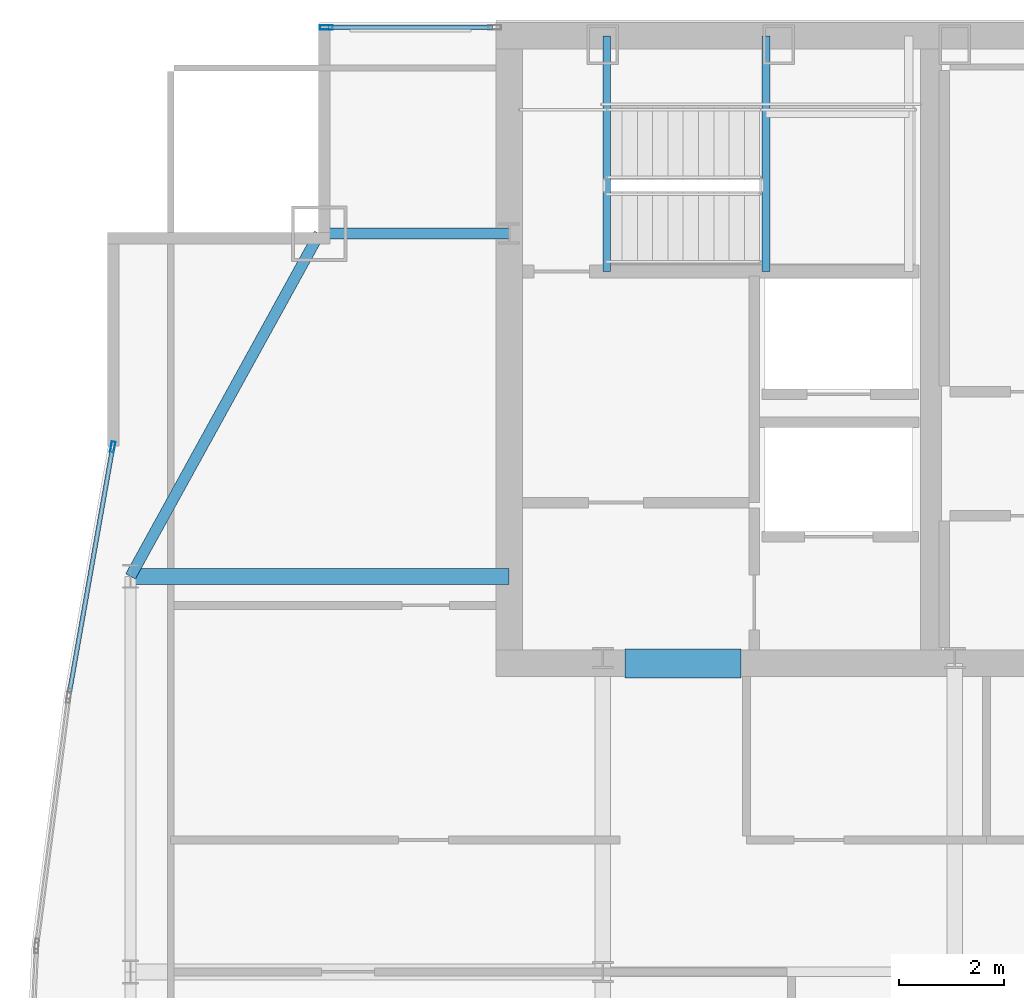
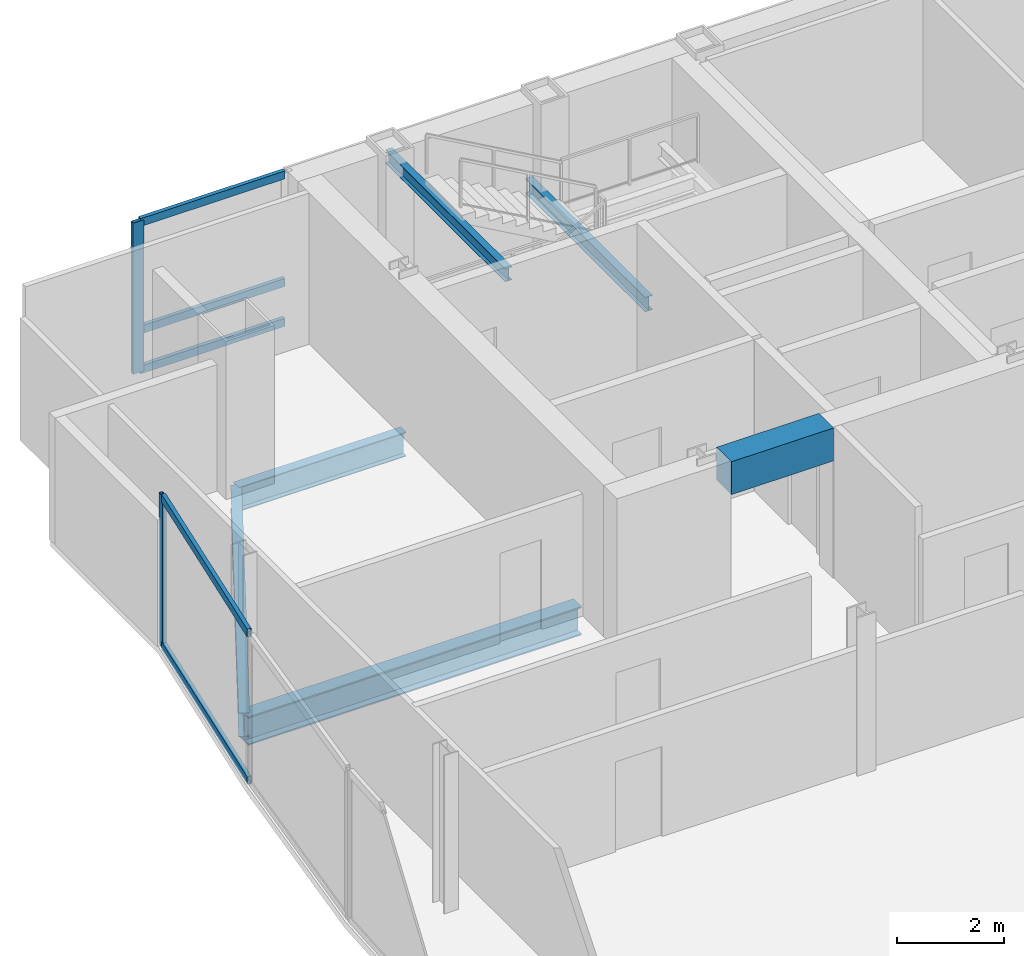
# One storey, part 20 of 30: 7 members, 6 beams, 2 elements without a shape of their own.
"""IFC4 building model written with IfcOpenShell, lengths in metres."""

import ifcopenshell
import ifcopenshell.guid

model = None  # the IFC model being written
_history = None  # IfcOwnerHistory: only IFC2X3 demands one
_inside = {}  # id of a spatial element -> (the spatial element, [elements in it])
_under = {}  # id of a project, library or spatial element -> (it, [spatial elements below it])
_declared = {}  # id of a project -> (the project, [libraries it declares])
_typed = {}  # id of a type object -> (the type object, [elements of that type])
_made_of = {}  # id of a material, layer set ... -> (it, [elements and type objects made of it])


def new_model(schema):
    """Start an empty IFC model of exactly this schema.

    Asked for "IFC4X3", IfcOpenShell would pick the latest addendum, in which some entities
    have other attributes; the version numbers below select the first issue.
    IFC2X3 requires an IfcOwnerHistory on every rooted entity: one is made here for all.
    """
    global model, _history
    if schema == "IFC4X3":
        model = ifcopenshell.file(schema_version=(4, 3, 0, 0))
    else:
        model = ifcopenshell.file(schema=schema)
    _inside.clear()
    _under.clear()
    _declared.clear()
    _typed.clear()
    _made_of.clear()
    _history = None
    if model.schema == "IFC2X3":
        org = make("IfcOrganization", Name="unknown")
        user = make(
            "IfcPersonAndOrganization",
            ThePerson=make("IfcPerson", FamilyName="unknown"),
            TheOrganization=org,
        )
        app = make(
            "IfcApplication",
            ApplicationDeveloper=org,
            Version="unknown",
            ApplicationFullName="unknown",
            ApplicationIdentifier="unknown",
        )
        _history = make(
            "IfcOwnerHistory",
            OwningUser=user,
            OwningApplication=app,
            ChangeAction="ADDED",
            CreationDate=0,
        )
    return model


def make(cls, **values):
    """One entity of the class cls with the attributes given. An attribute that is None is left unset."""
    return model.create_entity(
        cls, **{name: value for name, value in values.items() if value is not None}
    )


def rooted(cls, **values):
    """An entity with a GlobalId (a new one), such as an element, a storey or a relation."""
    return make(cls, GlobalId=ifcopenshell.guid.new(), OwnerHistory=_history, **values)


def si_unit(unit_type, name, prefix=None):
    """IfcSIUnit, for example si_unit("LENGTHUNIT", "METRE", prefix="MILLI")."""
    return make("IfcSIUnit", UnitType=unit_type, Prefix=prefix, Name=name)


def assignment(units):
    """IfcUnitAssignment: the units of a project."""
    return None if units is None else make("IfcUnitAssignment", Units=units)


def point(xyz):
    """IfcCartesianPoint."""
    return None if xyz is None else make("IfcCartesianPoint", Coordinates=xyz)


def direction(xyz):
    """IfcDirection."""
    return None if xyz is None else make("IfcDirection", DirectionRatios=xyz)


def frame(location, z_axis=None, x_axis=None):
    """IfcAxis2Placement3D, a coordinate frame: its origin and axes. An axis left out is left unset."""
    return make(
        "IfcAxis2Placement3D",
        Location=point(location),
        Axis=direction(z_axis),
        RefDirection=direction(x_axis),
    )


def frame_2d(location, x_axis=None):
    """IfcAxis2Placement2D, a coordinate frame in the plane: its origin and x axis."""
    return make(
        "IfcAxis2Placement2D", Location=point(location), RefDirection=direction(x_axis)
    )


def origin():
    """The frame at (0, 0, 0) with its axes left unset."""
    return frame((0.0, 0.0, 0.0))


def origin_2d():
    """The frame at (0, 0) in the plane with its x axis left unset."""
    return frame_2d((0.0, 0.0))


def place(relative_to, where):
    """IfcLocalPlacement: puts the frame where relative to a parent placement (None: the world)."""
    return make(
        "IfcLocalPlacement", PlacementRelTo=relative_to, RelativePlacement=where
    )


def context(
    kind, dimensions, precision=None, world=None, true_north=None, identifier=None
):
    """IfcGeometricRepresentationContext, for example the 3D "Model" context."""
    return make(
        "IfcGeometricRepresentationContext",
        ContextIdentifier=identifier,
        ContextType=kind,
        CoordinateSpaceDimension=dimensions,
        Precision=precision,
        WorldCoordinateSystem=world,
        TrueNorth=true_north,
    )


def subcontext(parent, identifier, kind, view, scale=None):
    """IfcGeometricRepresentationSubContext, for example "Body" below "Model"."""
    return make(
        "IfcGeometricRepresentationSubContext",
        ContextIdentifier=identifier,
        ContextType=kind,
        ParentContext=parent,
        TargetScale=scale,
        TargetView=view,
    )


def project(units=None, contexts=None):
    """IfcProject with its units and contexts."""
    return rooted(
        "IfcProject",
        Name="project",
        RepresentationContexts=contexts,
        UnitsInContext=assignment(units),
    )


def spatial(cls, under=None, at=None, **own):
    """A site, building, storey or space (cls), placed at a placement, below another one or the project."""
    s = rooted(cls, ObjectPlacement=at, **own)
    if under is not None:
        _under.setdefault(under.id(), (under, []))[1].append(s)
    return s


def profile(cls, at=None, kind="AREA", **sizes):
    """A parametric profile (cls). Its sizes go by their IFC names, for example OverallWidth=200.0."""
    return make(cls, ProfileType=kind, Position=at, **sizes)


def rectangle(**sizes):
    """IfcRectangleProfileDef."""
    return profile("IfcRectangleProfileDef", **sizes)


def hollow_rectangle(**sizes):
    """IfcRectangleHollowProfileDef."""
    return profile("IfcRectangleHollowProfileDef", **sizes)


def i_section(**sizes):
    """IfcIShapeProfileDef."""
    return profile("IfcIShapeProfileDef", **sizes)


def extrude(swept, where, along, depth):
    """IfcExtrudedAreaSolid: the profile swept, set in the frame where, extruded along a direction by depth."""
    return make(
        "IfcExtrudedAreaSolid",
        SweptArea=swept,
        Position=where,
        ExtrudedDirection=direction(along),
        Depth=depth,
    )


def shape(context_of_items, identifier, shape_type, items):
    """IfcShapeRepresentation: the items that make up one representation, for example the "Body"."""
    return make(
        "IfcShapeRepresentation",
        ContextOfItems=context_of_items,
        RepresentationIdentifier=identifier,
        RepresentationType=shape_type,
        Items=items,
    )


def material(Name=None, Category=None):
    """IfcMaterial."""
    return make("IfcMaterial", Name=Name, Category=Category)


def material_profile(
    of_material, cross_section, Name=None, Category=None, Priority=None
):
    """IfcMaterialProfile: a cross section and its material."""
    return make(
        "IfcMaterialProfile",
        Name=Name,
        Material=of_material,
        Profile=cross_section,
        Priority=Priority,
        Category=Category,
    )


def profile_set(profiles, Name=None, composite=None):
    """IfcMaterialProfileSet."""
    return make(
        "IfcMaterialProfileSet",
        Name=Name,
        MaterialProfiles=profiles,
        CompositeProfile=composite,
    )


def made_of(thing, what):
    """Note that an element or type object is made of a material, layer set ...; save() writes the relation."""
    if what is not None:
        _made_of.setdefault(what.id(), (what, []))[1].append(thing)
    return thing


def type_object(cls, material=None, **own):
    """A type object (cls), such as IfcWallType, which elements share."""
    return made_of(rooted(cls, **own), material)


def element(
    cls,
    number,
    at=None,
    inside=None,
    cuts=None,
    type_object=None,
    material=None,
    context=None,
    identifier="Body",
    shape_type=None,
    held_by="IfcProductDefinitionShape",
    body=None,
    shapes=None,
    **own,
):
    """One element of the class cls, such as IfcWall. Its Tag is "e" and its number.

    at: its placement. inside: the storey or other place that contains it. cuts: it is an
    opening in that element (IfcRelVoidsElement). A single representation is given by context,
    identifier, shape_type and body (its items); several are given by shapes. held_by: the class
    of the entity that holds the representations. save() writes the other relations.
    """
    e = rooted(cls, Tag="e%d" % number, ObjectPlacement=at, **own)
    if body is not None:
        shapes = [shape(context, identifier, shape_type, body)]
    if shapes is not None:
        e.Representation = make(held_by, Representations=shapes)
    if inside is not None:
        _inside.setdefault(inside.id(), (inside, []))[1].append(e)
    if cuts is not None:
        rooted(
            "IfcRelVoidsElement", RelatingBuildingElement=cuts, RelatedOpeningElement=e
        )
    if type_object is not None:
        _typed.setdefault(type_object.id(), (type_object, []))[1].append(e)
    return made_of(e, material)


def aggregate(whole, parts):
    """IfcRelAggregates: a whole, such as a stair, and the parts it consists of."""
    return rooted("IfcRelAggregates", RelatingObject=whole, RelatedObjects=parts)


def save(model, path):
    """Write the relations noted so far, then the file.

    IfcRelAggregates (storeys below a building ...), IfcRelContainedInSpatialStructure (elements
    in a storey), IfcRelDefinesByType, IfcRelAssociatesMaterial and IfcRelDeclares: one each for
    every whole, place, type object, material and project.
    """
    for whole, parts in _under.values():
        aggregate(whole, parts)
    for where, things in _inside.values():
        rooted(
            "IfcRelContainedInSpatialStructure",
            RelatedElements=things,
            RelatingStructure=where,
        )
    for kind, things in _typed.values():
        rooted("IfcRelDefinesByType", RelatedObjects=things, RelatingType=kind)
    for what, things in _made_of.values():
        rooted("IfcRelAssociatesMaterial", RelatedObjects=things, RelatingMaterial=what)
    for by, libraries in _declared.values():
        rooted("IfcRelDeclares", RelatingContext=by, RelatedDefinitions=libraries)
    model.write(path)


model = new_model("IFC4")

# Units and contexts
model_context = context("Model", 3, precision=1e-05, world=origin(), true_north=direction((0.0, 1.0)))
body_context = subcontext(model_context, "Body", "Model", "MODEL_VIEW")
ifc_project = project(units=[si_unit("LENGTHUNIT", "METRE"), si_unit("AREAUNIT", "SQUARE_METRE"), si_unit("VOLUMEUNIT", "CUBIC_METRE"), si_unit("PLANEANGLEUNIT", "RADIAN"), si_unit("MASSUNIT", "GRAM", prefix="KILO")], contexts=[model_context])

# Site, building, storey
site_placement = place(None, origin())
site = spatial("IfcSite", under=ifc_project, at=site_placement, CompositionType="ELEMENT")
building_placement = place(site_placement, origin())
building = spatial("IfcBuilding", under=site, at=building_placement, Name="Khoronbel Lancet Exchange", CompositionType="ELEMENT")
storey_placement = place(building_placement, frame((0.0, 0.0, 277.0)))
storey = spatial("IfcBuildingStorey", under=building, at=storey_placement, Name="L71", CompositionType="ELEMENT", Elevation=277.0)

# Beams
ifc_material_1 = material(Name="Steel S355", Category="steel")
ifc_material_profile_1 = material_profile(ifc_material_1, i_section(OverallWidth=0.300048828125, OverallDepth=0.64990234375, WebThickness=0.01611328125, FlangeThickness=0.031005859375, at=origin_2d()), Name="HEB 650")
ifc_profile_set_1 = profile_set([ifc_material_profile_1], Name="Steel S355")
beam_type_1 = type_object("IfcBeamType", Name="BM-BG4", PredefinedType="BEAM", material=ifc_profile_set_1)
beam_1_placement = place(storey_placement, frame((9.27001953125, 43.199951171875, -0.485107421875), z_axis=(1.0, 0.0, 0.0), x_axis=(0.0, 1.0, 0.0)))
element("IfcBeam", 1, at=beam_1_placement, inside=storey, type_object=beam_type_1, Name="Level L71 west lens tie girder LG3W", PredefinedType="BEAM", context=body_context, shape_type="SweptSolid", body=[
    extrude(i_section(OverallWidth=0.300048828125, OverallDepth=0.64990234375, WebThickness=0.01611328125, FlangeThickness=0.031005859375, at=origin_2d()), origin(), (0.0, 0.0, 1.0), 7.179931640625),
])
ifc_material_profile_2 = material_profile(ifc_material_1, i_section(OverallWidth=0.159912109375, OverallDepth=0.330078125, WebThickness=0.007568359375, FlangeThickness=0.011474609375, at=origin_2d()), Name="IPE 330")
ifc_profile_set_2 = profile_set([ifc_material_profile_2], Name="Steel S355")
beam_type_2 = type_object("IfcBeamType", Name="BM-BJ7", PredefinedType="JOIST", material=ifc_profile_set_2)
beam_2_placement = place(storey_placement, frame((21.320068359375, 48.97998046875, 1.43505859375), z_axis=(0.0, 1.0, 0.0), x_axis=(-1.0, 0.0, 0.0)))
element("IfcBeam", 2, at=beam_2_placement, inside=storey, type_object=beam_type_2, Name="Level L71 stair ST1 landing bearer beam 1", PredefinedType="JOIST", context=body_context, shape_type="SweptSolid", body=[
    extrude(i_section(OverallWidth=0.159912109375, OverallDepth=0.330078125, WebThickness=0.007568359375, FlangeThickness=0.011474609375, at=origin_2d()), origin(), (0.0, 0.0, 1.0), 4.469970703125),
])
ifc_material_profile_3 = material_profile(ifc_material_1, i_section(OverallWidth=0.14990234375, OverallDepth=0.300048828125, WebThickness=0.007080078125, FlangeThickness=0.0107421875, at=origin_2d()), Name="IPE 300")
ifc_profile_set_3 = profile_set([ifc_material_profile_3], Name="Steel S355")
beam_type_3 = type_object("IfcBeamType", Name="BM-BJ8", PredefinedType="JOIST", material=ifc_profile_set_3)
beam_3_placement = place(storey_placement, frame((18.300048828125, 48.97998046875, 3.159912109375), z_axis=(0.0, 1.0, 0.0), x_axis=(-1.0, 0.0, 0.0)))
element("IfcBeam", 3, at=beam_3_placement, inside=storey, type_object=beam_type_3, Name="Level L71 stair ST1 upper-flight arrival trimmer beam", PredefinedType="JOIST", context=body_context, shape_type="SweptSolid", body=[
    extrude(i_section(OverallWidth=0.14990234375, OverallDepth=0.300048828125, WebThickness=0.007080078125, FlangeThickness=0.0107421875, at=origin_2d()), origin(), (0.0, 0.0, 1.0), 4.469970703125),
])
ifc_material_2 = material(Name="Concrete C60/75", Category="concrete")
ifc_material_profile_4 = material_profile(ifc_material_2, rectangle(XDim=0.550048828125, YDim=0.75, at=origin_2d()), Name="RC 550x750")
ifc_profile_set_4 = profile_set([ifc_material_profile_4], Name="Concrete C60/75")
beam_type_4 = type_object("IfcBeamType", Name="BM-BL2", PredefinedType="LINTEL", material=ifc_profile_set_4)
beam_4_placement = place(storey_placement, frame((18.64990234375, 41.550048828125, 3.06494140625), z_axis=(1.0, 0.0, 0.0), x_axis=(0.0, 1.0, 0.0)))
element("IfcBeam", 4, at=beam_4_placement, inside=storey, type_object=beam_type_4, Name="Level L71 rear core coupling lintel L1", PredefinedType="LINTEL", context=body_context, shape_type="SweptSolid", body=[
    extrude(rectangle(XDim=0.550048828125, YDim=0.75, at=origin_2d()), origin(), (0.0, 0.0, 1.0), 2.2001953125),
])
ifc_material_profile_5 = material_profile(ifc_material_1, i_section(OverallWidth=0.2099609375, OverallDepth=0.550048828125, WebThickness=0.010986328125, FlangeThickness=0.01708984375, at=origin_2d()), Name="IPE 550")
ifc_profile_set_5 = profile_set([ifc_material_profile_5], Name="Steel S355")
beam_type_5 = type_object("IfcBeamType", Name="BM-BSP3", PredefinedType="SPANDREL", material=ifc_profile_set_5)
beam_5_placement = place(storey_placement, frame((12.85009765625, 49.699951171875, -0.43505859375), z_axis=(-0.482444051088, -0.875926787791, 0.0), x_axis=(0.875926787791, -0.482444051088, 0.0)))
element("IfcBeam", 5, at=beam_5_placement, inside=storey, type_object=beam_type_5, Name="Level L71 perimeter spandrel beam SP16", PredefinedType="SPANDREL", context=body_context, shape_type="SweptSolid", body=[
    extrude(i_section(OverallWidth=0.2099609375, OverallDepth=0.550048828125, WebThickness=0.010986328125, FlangeThickness=0.01708984375, at=origin_2d()), origin(), (0.0, 0.0, 1.0), 7.420654296875),
])
beam_6_placement = place(storey_placement, frame((12.85009765625, 49.699951171875, -0.43505859375), z_axis=(1.0, 0.0, 0.0), x_axis=(0.0, 1.0, 0.0)))
element("IfcBeam", 6, at=beam_6_placement, inside=storey, type_object=beam_type_5, Name="Level L71 north flank tie spandrel SP22", PredefinedType="SPANDREL", context=body_context, shape_type="SweptSolid", body=[
    extrude(i_section(OverallWidth=0.2099609375, OverallDepth=0.550048828125, WebThickness=0.010986328125, FlangeThickness=0.01708984375, at=origin_2d()), origin(), (0.0, 0.0, 1.0), 3.599853515625),
])

# Curtain wall, member
ifc_material_3 = material(Name="Low-E Solar Control Insulating Glass", Category="glass")
curtain_wall_type_1 = type_object("IfcCurtainWallType", Name="CW-3", PredefinedType="NOTDEFINED", material=ifc_material_3)
curtain_wall_1_placement = place(storey_placement, origin())
curtain_wall_1 = element("IfcCurtainWall", 7, at=curtain_wall_1_placement, inside=storey, type_object=curtain_wall_type_1, Name="Unitised curtain wall CW-L71-NWFLK", PredefinedType="NOTDEFINED")
ifc_material_4 = material(Name="Bronze-Anodised Aluminium 6063-T6", Category="aluminium")
ifc_material_profile_6 = material_profile(ifc_material_4, hollow_rectangle(XDim=0.0849609375, YDim=0.239990234375, WallThickness=0.006103515625, at=origin_2d()), Name="ALU MULLION 85x240")
ifc_profile_set_6 = profile_set([ifc_material_profile_6], Name="Bronze-Anodised Aluminium 6063-T6")
member_type_1 = type_object("IfcMemberType", Name="MEM-CWM1", PredefinedType="MULLION", material=ifc_profile_set_6)
member_1_placement = place(storey_placement, frame((12.982421875, 53.610107421875, 0.0), z_axis=(0.0, 0.0, 1.0), x_axis=(0.0, -1.0, 0.0)))
member_1 = element("IfcMember", 8, at=member_1_placement, type_object=member_type_1, Name="CW3 mullion 2", PredefinedType="MULLION", context=body_context, shape_type="SweptSolid", body=[
    extrude(hollow_rectangle(XDim=0.0849609375, YDim=0.239990234375, WallThickness=0.006103515625, at=origin_2d()), origin(), (0.0, 0.0, 1.0), 3.43994140625),
])

# Curtain wall, members
curtain_wall_type_2 = type_object("IfcCurtainWallType", Name="CW-4", PredefinedType="NOTDEFINED", material=ifc_material_3)
curtain_wall_2_placement = place(storey_placement, origin())
curtain_wall_2 = element("IfcCurtainWall", 9, at=curtain_wall_2_placement, inside=storey, type_object=curtain_wall_type_2, Name="Unitised curtain wall CW-L71-E09", PredefinedType="NOTDEFINED")
ifc_material_profile_7 = material_profile(ifc_material_4, hollow_rectangle(XDim=0.074951171875, YDim=0.199951171875, WallThickness=0.0048828125, at=origin_2d()), Name="ALU MULLION 75x200")
ifc_profile_set_7 = profile_set([ifc_material_profile_7], Name="Bronze-Anodised Aluminium 6063-T6")
member_type_2 = type_object("IfcMemberType", Name="MEM-CWM2", PredefinedType="MULLION", material=ifc_profile_set_7)
member_2_placement = place(storey_placement, frame((8.93359375, 45.6552734375, 0.0), z_axis=(0.0, 0.0, 1.0), x_axis=(-0.984792104729, 0.173736900118, 0.0)))
member_2 = element("IfcMember", 10, at=member_2_placement, type_object=member_type_2, Name="CW4 mullion 2", PredefinedType="MULLION", context=body_context, shape_type="SweptSolid", body=[
    extrude(hollow_rectangle(XDim=0.074951171875, YDim=0.199951171875, WallThickness=0.0048828125, at=origin_2d()), origin(), (0.0, 0.0, 1.0), 3.43994140625),
])
ifc_material_profile_8 = material_profile(ifc_material_4, hollow_rectangle(XDim=0.0849609375, YDim=0.179931640625, WallThickness=0.0048828125, at=origin_2d()), Name="ALU TRANSOM 85x180")
ifc_profile_set_8 = profile_set([ifc_material_profile_8], Name="Bronze-Anodised Aluminium 6063-T6")
member_type_3 = type_object("IfcMemberType", Name="MEM-CWT1", PredefinedType="USERDEFINED", material=ifc_profile_set_8)
member_3_placement = place(storey_placement, frame((8.114013671875, 41.01025390625, 0.04248046875), z_axis=(0.173749615269, 0.984789861439, 0.0), x_axis=(-0.984789861439, 0.173749615269, 0.0)))
member_3 = element("IfcMember", 11, at=member_3_placement, type_object=member_type_3, Name="CW4 transom 1.1", ObjectType="TRANSOM", PredefinedType="USERDEFINED", context=body_context, shape_type="SweptSolid", body=[
    extrude(hollow_rectangle(XDim=0.0849609375, YDim=0.179931640625, WallThickness=0.0048828125, at=origin_2d()), origin(), (0.0, 0.0, 1.0), 4.67919921875),
])
member_4_placement = place(storey_placement, frame((8.114013671875, 41.01025390625, 3.3974609375), z_axis=(0.173749615269, 0.984789861439, 0.0), x_axis=(-0.984789861439, 0.173749615269, 0.0)))
member_4 = element("IfcMember", 12, at=member_4_placement, type_object=member_type_3, Name="CW4 transom 1.2", ObjectType="TRANSOM", PredefinedType="USERDEFINED", context=body_context, shape_type="SweptSolid", body=[
    extrude(hollow_rectangle(XDim=0.0849609375, YDim=0.179931640625, WallThickness=0.0048828125, at=origin_2d()), origin(), (0.0, 0.0, 1.0), 4.67919921875),
])
aggregate(curtain_wall_2, [member_2, member_3, member_4])

# Member
member_5_placement = place(storey_placement, frame((16.135009765625, 53.610107421875, 0.04248046875), z_axis=(-1.0, 0.0, 0.0), x_axis=(0.0, -1.0, 0.0)))
member_5 = element("IfcMember", 13, at=member_5_placement, type_object=member_type_3, Name="CW3 transom 1.1", ObjectType="TRANSOM", PredefinedType="USERDEFINED", context=body_context, shape_type="SweptSolid", body=[
    extrude(hollow_rectangle(XDim=0.0849609375, YDim=0.179931640625, WallThickness=0.0048828125, at=origin_2d()), origin(), (0.0, 0.0, 1.0), 3.110107421875),
])

member_6_placement = place(storey_placement, frame((16.135009765625, 53.610107421875, 0.949951171875), z_axis=(-1.0, 0.0, 0.0), x_axis=(0.0, -1.0, 0.0)))
member_6 = element("IfcMember", 14, at=member_6_placement, type_object=member_type_3, Name="CW3 transom 1.2", ObjectType="TRANSOM", PredefinedType="USERDEFINED", context=body_context, shape_type="SweptSolid", body=[
    extrude(hollow_rectangle(XDim=0.0849609375, YDim=0.179931640625, WallThickness=0.0048828125, at=origin_2d()), origin(), (0.0, 0.0, 1.0), 3.110107421875),
])

member_7_placement = place(storey_placement, frame((16.135009765625, 53.610107421875, 3.3974609375), z_axis=(-1.0, 0.0, 0.0), x_axis=(0.0, -1.0, 0.0)))
member_7 = element("IfcMember", 15, at=member_7_placement, type_object=member_type_3, Name="CW3 transom 1.3", ObjectType="TRANSOM", PredefinedType="USERDEFINED", context=body_context, shape_type="SweptSolid", body=[
    extrude(hollow_rectangle(XDim=0.0849609375, YDim=0.179931640625, WallThickness=0.0048828125, at=origin_2d()), origin(), (0.0, 0.0, 1.0), 3.110107421875),
])

aggregate(curtain_wall_1, [member_1, member_5, member_6, member_7])

save(model, "model.ifc")
